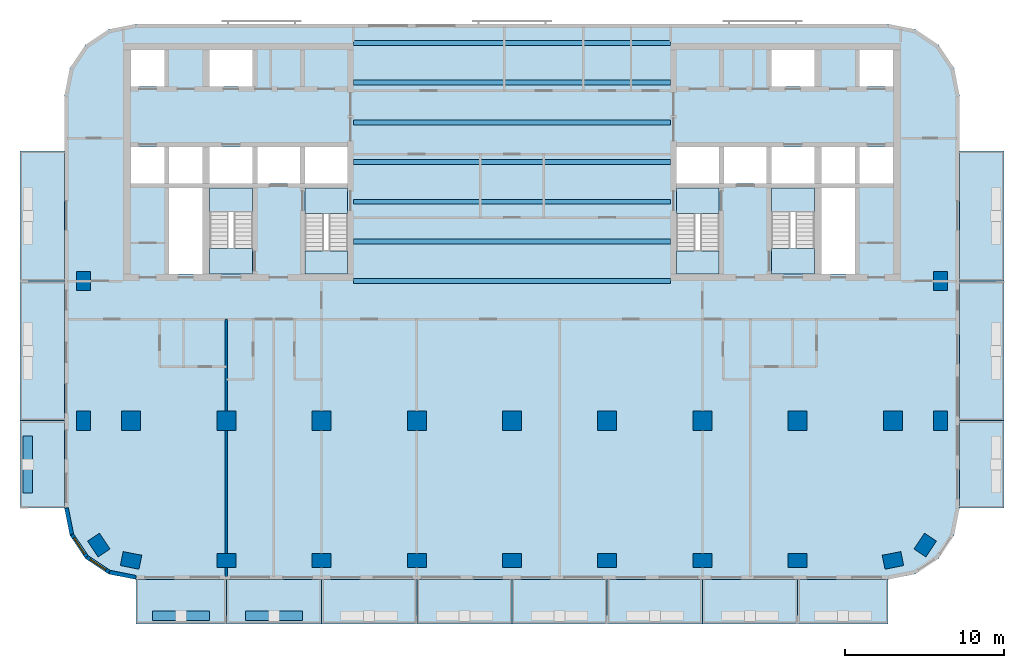
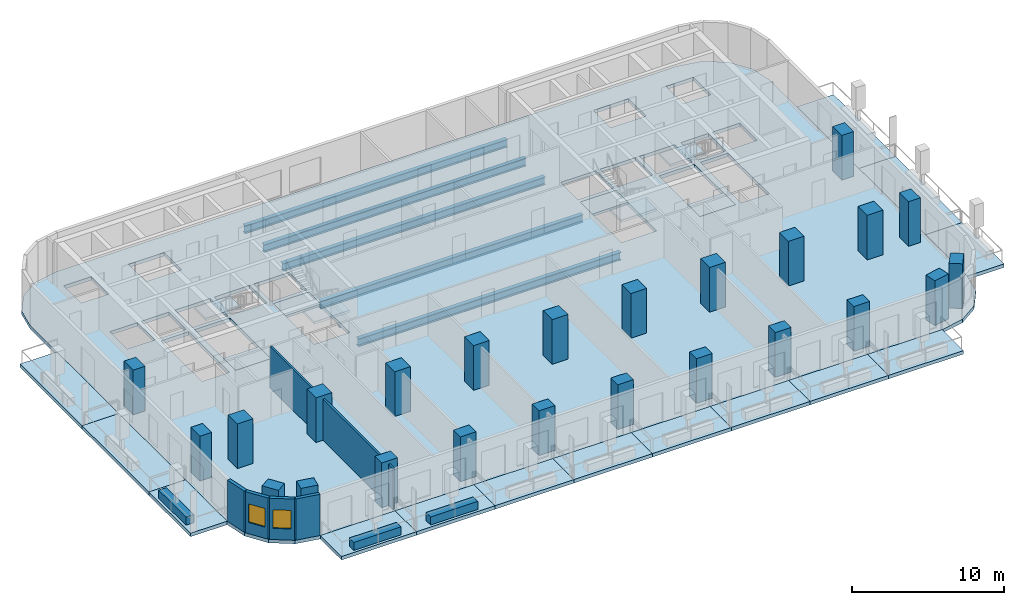
# One storey, part 1 of 11: 24 columns, 23 slabs, 8 walls, 7 beams, 2 windows, 2 openings, 4 elements without a shape of their own.
"""IFC4 building model written with IfcOpenShell, lengths in metres."""

from ifc_helpers import new_model, si_unit, direction, frame, frame_2d, origin, origin_2d, place, context, subcontext, project, spatial, polyline, rectangle, i_section, outline, extrude, material, layer, layer_set, material_profile, profile_set, type_object, element, fill, aggregate, save


model = new_model("IFC4")

# Units and contexts
model_context = context("Model", 3, precision=1e-05, world=origin(), true_north=direction((0.0, 1.0)))
body_context = subcontext(model_context, "Body", "Model", "MODEL_VIEW")
ifc_project = project(units=[si_unit("LENGTHUNIT", "METRE"), si_unit("AREAUNIT", "SQUARE_METRE"), si_unit("VOLUMEUNIT", "CUBIC_METRE"), si_unit("PLANEANGLEUNIT", "RADIAN"), si_unit("MASSUNIT", "GRAM", prefix="KILO")], contexts=[model_context])

# Site, building, storey
site_placement = place(None, origin())
site = spatial("IfcSite", under=ifc_project, at=site_placement, CompositionType="ELEMENT")
building_placement = place(site_placement, origin())
building = spatial("IfcBuilding", under=site, at=building_placement, Name="Torana Hotel and Residences", CompositionType="ELEMENT")
storey_placement = place(building_placement, frame((0.0, 0.0, 138.0)))
storey = spatial("IfcBuildingStorey", under=building, at=storey_placement, Name="L35", CompositionType="ELEMENT", Elevation=138.0)

# Columns
ifc_material_1 = material(Name="Concrete C70/85", Category="concrete")
ifc_material_profile_1 = material_profile(ifc_material_1, rectangle(XDim=1.199951171875, YDim=1.199951171875, at=origin_2d()), Name="RC 1200x1200")
ifc_profile_set_1 = profile_set([ifc_material_profile_1], Name="Concrete C70/85")
column_type_1 = type_object("IfcColumnType", Name="COLUMN RC 1200x1200 C70/85", PredefinedType="COLUMN", material=ifc_profile_set_1)
for number, where, z_axis, x_axis, name in (
    (1, (-24.0, -23.800048828125, 0.0), (0.0, 0.0, 1.0), (1.0, 0.0, 0.0), "Column L35"),
    (2, (-18.0, -23.800048828125, 0.0), (0.0, 0.0, 1.0), (1.0, 0.0, 0.0), "Column L35"),
    (3, (-12.0, -23.800048828125, 0.0), (0.0, 0.0, 1.0), (1.0, 0.0, 0.0), "Column L35"),
    (4, (-6.0, -23.800048828125, 0.0), (0.0, 0.0, 1.0), (1.0, 0.0, 0.0), "Column L35"),
    (5, (0.0, -23.800048828125, 0.0), (0.0, 0.0, 1.0), (1.0, 0.0, 0.0), "Column L35"),
    (6, (6.0, -23.800048828125, 0.0), (0.0, 0.0, 1.0), (1.0, 0.0, 0.0), "Column L35"),
    (7, (12.0, -23.800048828125, 0.0), (0.0, 0.0, 1.0), (1.0, 0.0, 0.0), "Column L35"),
    (8, (18.0, -23.800048828125, 0.0), (0.0, 0.0, 1.0), (1.0, 0.0, 0.0), "Column L35"),
    (9, (24.0, -23.800048828125, 0.0), (0.0, 0.0, 1.0), (1.0, 0.0, 0.0), "Column L35"),
):
    element("IfcColumn", number, at=place(storey_placement, frame(where, z_axis=z_axis, x_axis=x_axis)), inside=storey, type_object=column_type_1, Name=name, PredefinedType="COLUMN", context=body_context, shape_type="SweptSolid", body=[
        extrude(rectangle(XDim=1.199951171875, YDim=1.199951171875, at=origin_2d()), origin(), (0.0, 0.0, 1.0), 3.60009765625),
    ])
ifc_material_2 = material(Name="Concrete C70/85", Category="concrete")
ifc_material_profile_2 = material_profile(ifc_material_2, rectangle(XDim=1.199951171875, YDim=0.89990234375, at=origin_2d()), Name="RC 1200x900")
ifc_profile_set_2 = profile_set([ifc_material_profile_2], Name="Concrete C70/85")
column_type_2 = type_object("IfcColumnType", Name="COLUMN RC 1200x900 C70/85", PredefinedType="COLUMN", material=ifc_profile_set_2)
for number, where, z_axis, x_axis, name in (
    (10, (-27.0, -23.800048828125, 0.0), (0.0, 0.0, 1.0), (0.0, 1.0, 0.0), "Column L35"),
    (11, (-27.0, -15.0, 0.0), (0.0, 0.0, 1.0), (0.0, 1.0, 0.0), "Column L35"),
    (12, (-26.032958984375, -31.633056640625, 0.0), (0.0, 0.0, 1.0), (-0.555584744817, 0.831459915646, 0.0), "Column L35"),
    (13, (-24.0, -32.60009765625, 0.0), (0.0, 0.0, 1.0), (-0.980792089743, 0.195056086032, 0.0), "Column L35"),
    (14, (-18.0, -32.60009765625, 0.0), (0.0, 0.0, 1.0), (1.0, 0.0, 0.0), "Column L35"),
    (15, (-12.0, -32.60009765625, 0.0), (0.0, 0.0, 1.0), (1.0, 0.0, 0.0), "Column L35"),
    (16, (-6.0, -32.60009765625, 0.0), (0.0, 0.0, 1.0), (1.0, 0.0, 0.0), "Column L35"),
    (17, (0.0, -32.60009765625, 0.0), (0.0, 0.0, 1.0), (1.0, 0.0, 0.0), "Column L35"),
    (18, (6.0, -32.60009765625, 0.0), (0.0, 0.0, 1.0), (1.0, 0.0, 0.0), "Column L35"),
    (19, (12.0, -32.60009765625, 0.0), (0.0, 0.0, 1.0), (1.0, 0.0, 0.0), "Column L35"),
    (20, (18.0, -32.60009765625, 0.0), (0.0, 0.0, 1.0), (1.0, 0.0, 0.0), "Column L35"),
    (21, (24.0, -32.60009765625, 0.0), (0.0, 0.0, 1.0), (0.980792089743, 0.195056086032, 0.0), "Column L35"),
    (22, (26.032958984375, -31.633056640625, 0.0), (0.0, 0.0, 1.0), (0.555584744817, 0.831459915646, 0.0), "Column L35"),
    (23, (27.0, -23.800048828125, 0.0), (0.0, 0.0, 1.0), (0.0, 1.0, 0.0), "Column L35"),
    (24, (27.0, -15.0, 0.0), (0.0, 0.0, 1.0), (0.0, 1.0, 0.0), "Column L35"),
):
    element("IfcColumn", number, at=place(storey_placement, frame(where, z_axis=z_axis, x_axis=x_axis)), inside=storey, type_object=column_type_2, Name=name, PredefinedType="COLUMN", context=body_context, shape_type="SweptSolid", body=[
        extrude(rectangle(XDim=1.199951171875, YDim=0.89990234375, at=origin_2d()), origin(), (0.0, 0.0, 1.0), 3.60009765625),
    ])

# Beams
ifc_material_3 = material(Name="Steel S355", Category="steel")
ifc_material_profile_3 = material_profile(ifc_material_3, i_section(OverallWidth=0.311279296875, OverallDepth=0.6357421875, WebThickness=0.018310546875, FlangeThickness=0.031494140625, FilletRadius=0.0166015625, at=origin_2d()), Name="610x305x238 UB")
ifc_profile_set_3 = profile_set([ifc_material_profile_3], Name="Steel S355")
beam_type = type_object("IfcBeamType", Name="STEEL GIRDER 610x305x238 UB", PredefinedType="BEAM", material=ifc_profile_set_3)
for number, where, z_axis, x_axis, name in (
    (25, (-10.0, -15.0, -0.597900390625), (1.0, 0.0, 0.0), (0.0, 1.0, 0.0), "Floor girder"),
    (26, (-10.0, -12.5, -0.597900390625), (1.0, 0.0, 0.0), (0.0, 1.0, 0.0), "Floor girder"),
    (27, (-10.0, -10.0, -0.597900390625), (1.0, 0.0, 0.0), (0.0, 1.0, 0.0), "Floor girder"),
    (28, (-10.0, -7.5, -0.597900390625), (1.0, 0.0, 0.0), (0.0, 1.0, 0.0), "Floor girder"),
    (29, (-10.0, -5.0, -0.597900390625), (1.0, 0.0, 0.0), (0.0, 1.0, 0.0), "Floor girder"),
    (30, (-10.0, -2.5, -0.597900390625), (1.0, 0.0, 0.0), (0.0, 1.0, 0.0), "Floor girder"),
    (31, (-10.0, 0.0, -0.597900390625), (1.0, 0.0, 0.0), (0.0, 1.0, 0.0), "Floor girder"),
):
    element("IfcBeam", number, at=place(storey_placement, frame(where, z_axis=z_axis, x_axis=x_axis)), inside=storey, type_object=beam_type, Name=name, PredefinedType="BEAM", context=body_context, shape_type="SweptSolid", body=[
        extrude(i_section(OverallWidth=0.311279296875, OverallDepth=0.6357421875, WebThickness=0.018310546875, FlangeThickness=0.031494140625, FilletRadius=0.0166015625, at=origin_2d()), origin(), (0.0, 0.0, 1.0), 20.0),
    ])

# Slabs
ifc_material_4 = material(Name="Concrete C40/50", Category="concrete")
ifc_layer_1 = layer(ifc_material_4, 0.280029296875)
ifc_layer_set_1 = layer_set([ifc_layer_1], Name="BAL1 BALCONY SLAB 280")
slab_type_1 = type_object("IfcSlabType", Name="BAL1 BALCONY SLAB 280", PredefinedType="USERDEFINED", material=ifc_layer_set_1)
slab_1_placement = place(storey_placement, frame((0.0, 0.0, -0.280029296875)))
element("IfcSlab", 32, at=slab_1_placement, inside=storey, type_object=slab_type_1, Name="Balcony 01", ObjectType="BALCONY", PredefinedType="USERDEFINED", context=body_context, shape_type="SweptSolid", body=[
    extrude(outline(polyline([(-23.699951171875, -36.60009765625), (-18.0, -36.60009765625), (-18.0, -33.800048828125), (-23.699951171875, -33.800048828125), (-23.699951171875, -36.60009765625)])), origin(), (0.0, 0.0, 1.0), 0.280029296875),
])
slab_2_placement = place(storey_placement, frame((0.0, 0.0, -0.280029296875)))
element("IfcSlab", 33, at=slab_2_placement, inside=storey, type_object=slab_type_1, Name="Balcony 02", ObjectType="BALCONY", PredefinedType="USERDEFINED", context=body_context, shape_type="SweptSolid", body=[
    extrude(outline(polyline([(-18.0, -36.60009765625), (-12.0, -36.60009765625), (-12.0, -33.800048828125), (-18.0, -33.800048828125), (-18.0, -36.60009765625)])), origin(), (0.0, 0.0, 1.0), 0.280029296875),
])
slab_3_placement = place(storey_placement, frame((0.0, 0.0, -0.280029296875)))
element("IfcSlab", 34, at=slab_3_placement, inside=storey, type_object=slab_type_1, Name="Balcony 03", ObjectType="BALCONY", PredefinedType="USERDEFINED", context=body_context, shape_type="SweptSolid", body=[
    extrude(outline(polyline([(-12.0, -36.60009765625), (-6.0, -36.60009765625), (-6.0, -33.800048828125), (-12.0, -33.800048828125), (-12.0, -36.60009765625)])), origin(), (0.0, 0.0, 1.0), 0.280029296875),
])
slab_4_placement = place(storey_placement, frame((0.0, 0.0, -0.280029296875)))
element("IfcSlab", 35, at=slab_4_placement, inside=storey, type_object=slab_type_1, Name="Balcony 04", ObjectType="BALCONY", PredefinedType="USERDEFINED", context=body_context, shape_type="SweptSolid", body=[
    extrude(outline(polyline([(-6.0, -36.60009765625), (0.0, -36.60009765625), (0.0, -33.800048828125), (-6.0, -33.800048828125), (-6.0, -36.60009765625)])), origin(), (0.0, 0.0, 1.0), 0.280029296875),
])
slab_5_placement = place(storey_placement, frame((0.0, 0.0, -0.280029296875)))
element("IfcSlab", 36, at=slab_5_placement, inside=storey, type_object=slab_type_1, Name="Balcony 05", ObjectType="BALCONY", PredefinedType="USERDEFINED", context=body_context, shape_type="SweptSolid", body=[
    extrude(outline(polyline([(0.0, -36.60009765625), (6.0, -36.60009765625), (6.0, -33.800048828125), (0.0, -33.800048828125), (0.0, -36.60009765625)])), origin(), (0.0, 0.0, 1.0), 0.280029296875),
])
slab_6_placement = place(storey_placement, frame((0.0, 0.0, -0.280029296875)))
element("IfcSlab", 37, at=slab_6_placement, inside=storey, type_object=slab_type_1, Name="Balcony 06", ObjectType="BALCONY", PredefinedType="USERDEFINED", context=body_context, shape_type="SweptSolid", body=[
    extrude(outline(polyline([(6.0, -36.60009765625), (12.0, -36.60009765625), (12.0, -33.800048828125), (6.0, -33.800048828125), (6.0, -36.60009765625)])), origin(), (0.0, 0.0, 1.0), 0.280029296875),
])
slab_7_placement = place(storey_placement, frame((0.0, 0.0, -0.280029296875)))
element("IfcSlab", 38, at=slab_7_placement, inside=storey, type_object=slab_type_1, Name="Balcony 07", ObjectType="BALCONY", PredefinedType="USERDEFINED", context=body_context, shape_type="SweptSolid", body=[
    extrude(outline(polyline([(12.0, -36.60009765625), (18.0, -36.60009765625), (18.0, -33.800048828125), (12.0, -33.800048828125), (12.0, -36.60009765625)])), origin(), (0.0, 0.0, 1.0), 0.280029296875),
])
slab_8_placement = place(storey_placement, frame((0.0, 0.0, -0.280029296875)))
element("IfcSlab", 39, at=slab_8_placement, inside=storey, type_object=slab_type_1, Name="Balcony 08", ObjectType="BALCONY", PredefinedType="USERDEFINED", context=body_context, shape_type="SweptSolid", body=[
    extrude(outline(polyline([(18.0, -36.60009765625), (23.699951171875, -36.60009765625), (23.699951171875, -33.800048828125), (18.0, -33.800048828125), (18.0, -36.60009765625)])), origin(), (0.0, 0.0, 1.0), 0.280029296875),
])
slab_9_placement = place(storey_placement, frame((0.0, 0.0, -0.280029296875)))
element("IfcSlab", 40, at=slab_9_placement, inside=storey, type_object=slab_type_1, Name="Balcony 09", ObjectType="BALCONY", PredefinedType="USERDEFINED", context=body_context, shape_type="SweptSolid", body=[
    extrude(outline(polyline([(-31.0, -29.300048828125), (-28.199951171875, -29.300048828125), (-28.199951171875, -23.800048828125), (-31.0, -23.800048828125), (-31.0, -29.300048828125)])), origin(), (0.0, 0.0, 1.0), 0.280029296875),
])
slab_10_placement = place(storey_placement, frame((0.0, 0.0, -0.280029296875)))
element("IfcSlab", 41, at=slab_10_placement, inside=storey, type_object=slab_type_1, Name="Balcony 10", ObjectType="BALCONY", PredefinedType="USERDEFINED", context=body_context, shape_type="SweptSolid", body=[
    extrude(outline(polyline([(-31.0, -23.800048828125), (-28.199951171875, -23.800048828125), (-28.199951171875, -15.0), (-31.0, -15.0), (-31.0, -23.800048828125)])), origin(), (0.0, 0.0, 1.0), 0.280029296875),
])
slab_11_placement = place(storey_placement, frame((0.0, 0.0, -0.280029296875)))
element("IfcSlab", 42, at=slab_11_placement, inside=storey, type_object=slab_type_1, Name="Balcony 11", ObjectType="BALCONY", PredefinedType="USERDEFINED", context=body_context, shape_type="SweptSolid", body=[
    extrude(outline(polyline([(-31.0, -15.0), (-28.199951171875, -15.0), (-28.199951171875, -6.800048828125), (-31.0, -6.800048828125), (-31.0, -15.0)])), origin(), (0.0, 0.0, 1.0), 0.280029296875),
])
slab_12_placement = place(storey_placement, frame((0.0, 0.0, -0.280029296875)))
element("IfcSlab", 43, at=slab_12_placement, inside=storey, type_object=slab_type_1, Name="Balcony 12", ObjectType="BALCONY", PredefinedType="USERDEFINED", context=body_context, shape_type="SweptSolid", body=[
    extrude(outline(polyline([(28.199951171875, -29.300048828125), (31.0, -29.300048828125), (31.0, -23.800048828125), (28.199951171875, -23.800048828125), (28.199951171875, -29.300048828125)])), origin(), (0.0, 0.0, 1.0), 0.280029296875),
])
slab_13_placement = place(storey_placement, frame((0.0, 0.0, -0.280029296875)))
element("IfcSlab", 44, at=slab_13_placement, inside=storey, type_object=slab_type_1, Name="Balcony 13", ObjectType="BALCONY", PredefinedType="USERDEFINED", context=body_context, shape_type="SweptSolid", body=[
    extrude(outline(polyline([(28.199951171875, -23.800048828125), (31.0, -23.800048828125), (31.0, -15.0), (28.199951171875, -15.0), (28.199951171875, -23.800048828125)])), origin(), (0.0, 0.0, 1.0), 0.280029296875),
])
slab_14_placement = place(storey_placement, frame((0.0, 0.0, -0.280029296875)))
element("IfcSlab", 45, at=slab_14_placement, inside=storey, type_object=slab_type_1, Name="Balcony 14", ObjectType="BALCONY", PredefinedType="USERDEFINED", context=body_context, shape_type="SweptSolid", body=[
    extrude(outline(polyline([(28.199951171875, -15.0), (31.0, -15.0), (31.0, -6.800048828125), (28.199951171875, -6.800048828125), (28.199951171875, -15.0)])), origin(), (0.0, 0.0, 1.0), 0.280029296875),
])
ifc_material_5 = material(Name="Concrete C40/50", Category="concrete")
ifc_layer_2 = layer(ifc_material_5, 0.280029296875)
ifc_layer_set_2 = layer_set([ifc_layer_2], Name="FLOOR SLAB PT 280")
slab_type_2 = type_object("IfcSlabType", Name="FLOOR SLAB PT 280", PredefinedType="FLOOR", material=ifc_layer_set_2)
slab_15_placement = place(storey_placement, frame((0.0, 0.0, -0.280029296875)))
element("IfcSlab", 46, at=slab_15_placement, inside=storey, type_object=slab_type_2, Name="Floor slab", PredefinedType="FLOOR", context=body_context, shape_type="SweptSolid", body=[
    extrude(outline(polyline([(28.199951171875, -3.300048828125), (27.857421875, -1.577880859375), (26.882080078125, -0.117919921875), (25.422119140625, 0.857421875), (23.699951171875, 1.199951171875), (-23.699951171875, 1.199951171875), (-25.422119140625, 0.857421875), (-26.882080078125, -0.117919921875), (-27.857421875, -1.577880859375), (-28.199951171875, -3.300048828125), (-28.199951171875, -29.300048828125), (-27.857421875, -31.022216796875), (-26.882080078125, -32.48193359375), (-25.422119140625, -33.45751953125), (-23.699951171875, -33.800048828125), (23.699951171875, -33.800048828125), (25.422119140625, -33.45751953125), (26.882080078125, -32.48193359375), (27.857421875, -31.022216796875), (28.199951171875, -29.300048828125), (28.199951171875, -3.300048828125)]), holes=[polyline([(-13.050048828125, -14.550048828125), (-10.35009765625, -14.550048828125), (-10.35009765625, -9.14990234375), (-13.050048828125, -9.14990234375), (-13.050048828125, -14.550048828125)]), polyline([(-19.050048828125, -14.550048828125), (-16.35009765625, -14.550048828125), (-16.35009765625, -9.14990234375), (-19.050048828125, -9.14990234375), (-19.050048828125, -14.550048828125)]), polyline([(-19.050048828125, -2.75), (-16.35009765625, -2.75), (-16.35009765625, -0.449951171875), (-19.050048828125, -0.449951171875), (-19.050048828125, -2.75)]), polyline([(-21.60009765625, -8.85009765625), (-19.5, -8.85009765625), (-19.5, -6.550048828125), (-21.60009765625, -6.550048828125), (-21.60009765625, -8.85009765625)]), polyline([(-24.0, -2.75), (-21.89990234375, -2.75), (-21.89990234375, -0.449951171875), (-24.0, -0.449951171875), (-24.0, -2.75)]), polyline([(-24.0, -8.85009765625), (-21.89990234375, -8.85009765625), (-21.89990234375, -6.550048828125), (-24.0, -6.550048828125), (-24.0, -8.85009765625)]), polyline([(-13.050048828125, -8.85009765625), (-10.35009765625, -8.85009765625), (-10.35009765625, -6.550048828125), (-13.050048828125, -6.550048828125), (-13.050048828125, -8.85009765625)]), polyline([(-16.050048828125, -8.85009765625), (-13.35009765625, -8.85009765625), (-13.35009765625, -6.550048828125), (-16.050048828125, -6.550048828125), (-16.050048828125, -8.85009765625)]), polyline([(-19.050048828125, -8.85009765625), (-16.35009765625, -8.85009765625), (-16.35009765625, -6.550048828125), (-19.050048828125, -6.550048828125), (-19.050048828125, -8.85009765625)]), polyline([(-21.60009765625, -14.550048828125), (-19.5, -14.550048828125), (-19.5, -9.14990234375), (-21.60009765625, -9.14990234375), (-21.60009765625, -14.550048828125)]), polyline([(10.35009765625, -14.550048828125), (13.050048828125, -14.550048828125), (13.050048828125, -9.14990234375), (10.35009765625, -9.14990234375), (10.35009765625, -14.550048828125)]), polyline([(16.35009765625, -14.550048828125), (19.050048828125, -14.550048828125), (19.050048828125, -9.14990234375), (16.35009765625, -9.14990234375), (16.35009765625, -14.550048828125)]), polyline([(16.35009765625, -2.75), (19.050048828125, -2.75), (19.050048828125, -0.449951171875), (16.35009765625, -0.449951171875), (16.35009765625, -2.75)]), polyline([(19.5, -8.85009765625), (21.60009765625, -8.85009765625), (21.60009765625, -6.550048828125), (19.5, -6.550048828125), (19.5, -8.85009765625)]), polyline([(21.89990234375, -2.75), (24.0, -2.75), (24.0, -0.449951171875), (21.89990234375, -0.449951171875), (21.89990234375, -2.75)]), polyline([(21.89990234375, -8.85009765625), (24.0, -8.85009765625), (24.0, -6.550048828125), (21.89990234375, -6.550048828125), (21.89990234375, -8.85009765625)]), polyline([(10.35009765625, -8.85009765625), (13.050048828125, -8.85009765625), (13.050048828125, -6.550048828125), (10.35009765625, -6.550048828125), (10.35009765625, -8.85009765625)]), polyline([(13.35009765625, -8.85009765625), (16.050048828125, -8.85009765625), (16.050048828125, -6.550048828125), (13.35009765625, -6.550048828125), (13.35009765625, -8.85009765625)]), polyline([(16.35009765625, -8.85009765625), (19.050048828125, -8.85009765625), (19.050048828125, -6.550048828125), (16.35009765625, -6.550048828125), (16.35009765625, -8.85009765625)]), polyline([(19.5, -14.550048828125), (21.60009765625, -14.550048828125), (21.60009765625, -9.14990234375), (19.5, -9.14990234375), (19.5, -14.550048828125)])]), origin(), (0.0, 0.0, 1.0), 0.280029296875),
])

# Stair, slabs
ifc_material_6 = material(Name="Concrete C40/50 precast", Category="concrete")
stair_type_1 = type_object("IfcStairType", Name="STAIR ST1 HALF TURN 1200", PredefinedType="HALF_TURN_STAIR", material=ifc_material_6)
stair_1_placement = place(storey_placement, origin())
stair_1 = element("IfcStair", 47, at=stair_1_placement, inside=storey, type_object=stair_type_1, Name="Stair ST1 L35", PredefinedType="HALF_TURN_STAIR")
ifc_material_7 = material(Name="Concrete C40/50 precast", Category="concrete")
ifc_layer_3 = layer(ifc_material_7, 0.199951171875)
ifc_layer_set_3 = layer_set([ifc_layer_3], Name="STAIR LANDING 200")
slab_type_3 = type_object("IfcSlabType", Name="STAIR LANDING 200", PredefinedType="LANDING", material=ifc_layer_set_3)
slab_16_placement = place(storey_placement, frame((0.0, 0.0, 1.60009765625)))
slab_16 = element("IfcSlab", 48, at=slab_16_placement, type_object=slab_type_3, Name="ST1 landing 1", PredefinedType="LANDING", context=body_context, shape_type="SweptSolid", body=[
    extrude(outline(polyline([(-13.050048828125, -14.550048828125), (-10.35009765625, -14.550048828125), (-10.35009765625, -13.090087890625), (-13.050048828125, -13.090087890625), (-13.050048828125, -14.550048828125)])), origin(), (0.0, 0.0, 1.0), 0.199951171875),
])
slab_17_placement = place(storey_placement, frame((0.0, 0.0, -0.199951171875)))
slab_17 = element("IfcSlab", 49, at=slab_17_placement, type_object=slab_type_3, Name="ST1 landing 2", PredefinedType="LANDING", context=body_context, shape_type="SweptSolid", body=[
    extrude(outline(polyline([(-13.050048828125, -10.75), (-10.35009765625, -10.75), (-10.35009765625, -9.14990234375), (-13.050048828125, -9.14990234375), (-13.050048828125, -10.75)])), origin(), (0.0, 0.0, 1.0), 0.199951171875),
])
aggregate(stair_1, [slab_16, slab_17])

ifc_material_8 = material(Name="Concrete C40/50 precast", Category="concrete")
stair_type_2 = type_object("IfcStairType", Name="STAIR ST2 HALF TURN 1200", PredefinedType="HALF_TURN_STAIR", material=ifc_material_8)
stair_2_placement = place(storey_placement, origin())
stair_2 = element("IfcStair", 50, at=stair_2_placement, inside=storey, type_object=stair_type_2, Name="Stair ST2 L35", PredefinedType="HALF_TURN_STAIR")
slab_18_placement = place(storey_placement, frame((0.0, 0.0, 1.60009765625)))
slab_18 = element("IfcSlab", 51, at=slab_18_placement, type_object=slab_type_3, Name="ST2 landing 1", PredefinedType="LANDING", context=body_context, shape_type="SweptSolid", body=[
    extrude(outline(polyline([(-19.050048828125, -10.610107421875), (-16.35009765625, -10.610107421875), (-16.35009765625, -9.14990234375), (-19.050048828125, -9.14990234375), (-19.050048828125, -10.610107421875)])), origin(), (0.0, 0.0, 1.0), 0.199951171875),
])
slab_19_placement = place(storey_placement, frame((0.0, 0.0, -0.199951171875)))
slab_19 = element("IfcSlab", 52, at=slab_19_placement, type_object=slab_type_3, Name="ST2 landing 2", PredefinedType="LANDING", context=body_context, shape_type="SweptSolid", body=[
    extrude(outline(polyline([(-19.050048828125, -14.550048828125), (-16.35009765625, -14.550048828125), (-16.35009765625, -12.949951171875), (-19.050048828125, -12.949951171875), (-19.050048828125, -14.550048828125)])), origin(), (0.0, 0.0, 1.0), 0.199951171875),
])
aggregate(stair_2, [slab_18, slab_19])

ifc_material_9 = material(Name="Concrete C40/50 precast", Category="concrete")
stair_type_3 = type_object("IfcStairType", Name="STAIR ST3 HALF TURN 1200", PredefinedType="HALF_TURN_STAIR", material=ifc_material_9)
stair_3_placement = place(storey_placement, origin())
stair_3 = element("IfcStair", 53, at=stair_3_placement, inside=storey, type_object=stair_type_3, Name="Stair ST3 L35", PredefinedType="HALF_TURN_STAIR")
slab_20_placement = place(storey_placement, frame((0.0, 0.0, 1.60009765625)))
slab_20 = element("IfcSlab", 54, at=slab_20_placement, type_object=slab_type_3, Name="ST3 landing 1", PredefinedType="LANDING", context=body_context, shape_type="SweptSolid", body=[
    extrude(outline(polyline([(10.35009765625, -14.550048828125), (13.050048828125, -14.550048828125), (13.050048828125, -13.090087890625), (10.35009765625, -13.090087890625), (10.35009765625, -14.550048828125)])), origin(), (0.0, 0.0, 1.0), 0.199951171875),
])
slab_21_placement = place(storey_placement, frame((0.0, 0.0, -0.199951171875)))
slab_21 = element("IfcSlab", 55, at=slab_21_placement, type_object=slab_type_3, Name="ST3 landing 2", PredefinedType="LANDING", context=body_context, shape_type="SweptSolid", body=[
    extrude(outline(polyline([(10.35009765625, -10.75), (13.050048828125, -10.75), (13.050048828125, -9.14990234375), (10.35009765625, -9.14990234375), (10.35009765625, -10.75)])), origin(), (0.0, 0.0, 1.0), 0.199951171875),
])
aggregate(stair_3, [slab_20, slab_21])

ifc_material_10 = material(Name="Concrete C40/50 precast", Category="concrete")
stair_type_4 = type_object("IfcStairType", Name="STAIR ST4 HALF TURN 1200", PredefinedType="HALF_TURN_STAIR", material=ifc_material_10)
stair_4_placement = place(storey_placement, origin())
stair_4 = element("IfcStair", 56, at=stair_4_placement, inside=storey, type_object=stair_type_4, Name="Stair ST4 L35", PredefinedType="HALF_TURN_STAIR")
slab_22_placement = place(storey_placement, frame((0.0, 0.0, 1.60009765625)))
slab_22 = element("IfcSlab", 57, at=slab_22_placement, type_object=slab_type_3, Name="ST4 landing 1", PredefinedType="LANDING", context=body_context, shape_type="SweptSolid", body=[
    extrude(outline(polyline([(16.35009765625, -10.610107421875), (19.050048828125, -10.610107421875), (19.050048828125, -9.14990234375), (16.35009765625, -9.14990234375), (16.35009765625, -10.610107421875)])), origin(), (0.0, 0.0, 1.0), 0.199951171875),
])
slab_23_placement = place(storey_placement, frame((0.0, 0.0, -0.199951171875)))
slab_23 = element("IfcSlab", 58, at=slab_23_placement, type_object=slab_type_3, Name="ST4 landing 2", PredefinedType="LANDING", context=body_context, shape_type="SweptSolid", body=[
    extrude(outline(polyline([(16.35009765625, -14.550048828125), (19.050048828125, -14.550048828125), (19.050048828125, -12.949951171875), (16.35009765625, -12.949951171875), (16.35009765625, -14.550048828125)])), origin(), (0.0, 0.0, 1.0), 0.199951171875),
])
aggregate(stair_4, [slab_22, slab_23])

# Wall
ifc_material_11 = material(Name="Black aluminium composite panel", Category="aluminium")
ifc_layer_4 = layer(ifc_material_11, 0.00390625, Name="Cladding", Category="cladding")
ifc_material_12 = material(Name="Ventilated air cavity")
ifc_layer_5 = layer(ifc_material_12, 0.0400390625, Name="Ventilated cavity", Category="cavity")
ifc_material_13 = material(Name="Mineral wool insulation")
ifc_layer_6 = layer(ifc_material_13, 0.090087890625, Name="Insulation", Category="insulation")
ifc_material_14 = material(Name="Steel S280GD", Category="steel")
ifc_layer_7 = layer(ifc_material_14, 0.092041015625, Name="Steel stud frame", Category="structure")
ifc_material_15 = material(Name="Fire rated plasterboard")
ifc_layer_8 = layer(ifc_material_15, 0.011962890625, Name="Inner board", Category="finish")
ifc_layer_9 = layer(ifc_material_15, 0.011962890625, Name="Second board", Category="finish")
ifc_layer_set_4 = layer_set([ifc_layer_4, ifc_layer_5, ifc_layer_6, ifc_layer_7, ifc_layer_8, ifc_layer_9], Name="EW1 EXTERNAL WALL BLACK METAL CLAD 250")
wall_type_1 = type_object("IfcWallType", Name="EW1 EXTERNAL WALL BLACK METAL CLAD 250", PredefinedType="SOLIDWALL", material=ifc_layer_set_4)
wall_1_placement = place(storey_placement, frame((-28.072509765625, -29.2998046875, 0.0), z_axis=(0.0, 0.0, 1.0), x_axis=(0.194999110559, -0.980803419081, 0.0)))
element("IfcWall", 59, at=wall_1_placement, inside=storey, type_object=wall_type_1, Name="External wall L35 e0.10", PredefinedType="SOLIDWALL", context=body_context, shape_type="SweptSolid", body=[
    extrude(rectangle(XDim=1.681396484375, YDim=0.25, at=frame_2d((0.8408203125, 0.0))), origin(), (0.0, 0.0, 1.0), 3.320068359375),
])

# Wall, opening, window
wall_2_placement = place(storey_placement, frame((-27.725830078125, -30.993896484375, 0.0), z_axis=(0.0, 0.0, 1.0), x_axis=(0.55555029066, -0.831482937015, 0.0)))
wall_2 = element("IfcWall", 60, at=wall_2_placement, inside=storey, type_object=wall_type_1, Name="External wall L35 e0.11", PredefinedType="SOLIDWALL", context=body_context, shape_type="SweptSolid", body=[
    extrude(rectangle(XDim=1.65625, YDim=0.25, at=frame_2d((0.828125, 0.0))), origin(), (0.0, 0.0, 1.0), 3.320068359375),
])
opening_1_placement = place(wall_2_placement, frame((0.228271484375, 0.0, 0.89990234375)))
opening_1 = element("IfcOpeningElement", 61, at=opening_1_placement, cuts=wall_2, Name="Opening W5", PredefinedType="OPENING", context=body_context, shape_type="SweptSolid", body=[
    extrude(rectangle(XDim=1.199951171875, YDim=1.5, at=frame_2d((0.60009765625, 0.75))), frame((0.0, 0.135009765625, 0.0), z_axis=(0.0, -1.0, 0.0), x_axis=(1.0, 0.0, 0.0)), (0.0, 0.0, 1.0), 0.27001953125),
])
ifc_material_16 = material(Name="Dark glass in black aluminium frame", Category="aluminium")
window_type = type_object("IfcWindowType", Name="W5 CORNER FACET WINDOW 1200x1500", PartitioningType="SINGLE_PANEL", PredefinedType="WINDOW", material=ifc_material_16)
window_1_placement = place(opening_1_placement, origin())
window_1 = element("IfcWindow", 62, at=window_1_placement, inside=storey, type_object=window_type, Name="Window L35 e0.11", OverallHeight=1.5, OverallWidth=1.199951171875, PartitioningType="SINGLE_PANEL", PredefinedType="WINDOW", context=body_context, shape_type="SweptSolid", body=[
    extrude(rectangle(XDim=1.199951171875, YDim=1.5, at=frame_2d((0.60009765625, 0.75))), frame((0.0, 0.030029296875, 0.0), z_axis=(0.0, -1.0, 0.0), x_axis=(1.0, 0.0, 0.0)), (0.0, 0.0, 1.0), 0.06005859375),
])
fill(opening_1, window_1)

wall_3_placement = place(storey_placement, frame((-26.771240234375, -32.40576171875, 0.0), z_axis=(0.0, 0.0, 1.0), x_axis=(0.831482937015, -0.55555029066, 0.0)))
wall_3 = element("IfcWall", 63, at=wall_3_placement, inside=storey, type_object=wall_type_1, Name="External wall L35 e0.12", PredefinedType="SOLIDWALL", context=body_context, shape_type="SweptSolid", body=[
    extrude(rectangle(XDim=1.65625, YDim=0.25, at=frame_2d((0.828125, 0.0))), origin(), (0.0, 0.0, 1.0), 3.320068359375),
])
opening_2_placement = place(wall_3_placement, frame((0.228271484375, 0.0, 0.89990234375)))
opening_2 = element("IfcOpeningElement", 64, at=opening_2_placement, cuts=wall_3, Name="Opening W5", PredefinedType="OPENING", context=body_context, shape_type="SweptSolid", body=[
    extrude(rectangle(XDim=1.199951171875, YDim=1.5, at=frame_2d((0.60009765625, 0.75))), frame((0.0, 0.135009765625, 0.0), z_axis=(0.0, -1.0, 0.0), x_axis=(1.0, 0.0, 0.0)), (0.0, 0.0, 1.0), 0.27001953125),
])
window_2_placement = place(opening_2_placement, origin())
window_2 = element("IfcWindow", 65, at=window_2_placement, inside=storey, type_object=window_type, Name="Window L35 e0.12", OverallHeight=1.5, OverallWidth=1.199951171875, PartitioningType="SINGLE_PANEL", PredefinedType="WINDOW", context=body_context, shape_type="SweptSolid", body=[
    extrude(rectangle(XDim=1.199951171875, YDim=1.5, at=frame_2d((0.60009765625, 0.75))), frame((0.0, 0.030029296875, 0.0), z_axis=(0.0, -1.0, 0.0), x_axis=(1.0, 0.0, 0.0)), (0.0, 0.0, 1.0), 0.06005859375),
])
fill(opening_2, window_2)

# Walls
wall_4_placement = place(storey_placement, frame((-25.348876953125, -33.344482421875, 0.0), z_axis=(0.0, 0.0, 1.0), x_axis=(0.980775640221, -0.19513878023, 0.0)))
element("IfcWall", 66, at=wall_4_placement, inside=storey, type_object=wall_type_1, Name="External wall L35 e0.13", PredefinedType="SOLIDWALL", context=body_context, shape_type="SweptSolid", body=[
    extrude(rectangle(XDim=1.681396484375, YDim=0.25, at=frame_2d((0.8408203125, 0.0))), origin(), (0.0, 0.0, 1.0), 3.320068359375),
])
ifc_material_17 = material(Name="Gypsum plasterboard")
ifc_layer_10 = layer(ifc_material_17, 0.012451171875, Name="Plasterboard", Category="finish")
ifc_layer_11 = layer(ifc_material_17, 0.012451171875, Name="Plasterboard", Category="finish")
ifc_layer_12 = layer(ifc_material_14, 0.10009765625, Name="Steel studs with mineral wool", Category="insulation")
ifc_layer_13 = layer(ifc_material_17, 0.012451171875, Name="Plasterboard", Category="finish")
ifc_layer_14 = layer(ifc_material_17, 0.012451171875, Name="Plasterboard", Category="finish")
ifc_layer_set_5 = layer_set([ifc_layer_10, ifc_layer_11, ifc_layer_12, ifc_layer_13, ifc_layer_14], Name="PARTITION 150 PLASTERBOARD")
wall_type_2 = type_object("IfcWallType", Name="PARTITION 150 PLASTERBOARD", PredefinedType="PARTITIONING", material=ifc_layer_set_5)
wall_5_placement = place(storey_placement, frame((-18.0, -33.6201171875, 0.0), z_axis=(0.0, 0.0, 1.0), x_axis=(0.0, 1.0, 0.0)))
element("IfcWall", 67, at=wall_5_placement, inside=storey, type_object=wall_type_2, Name="Partition L35", PredefinedType="PARTITIONING", context=body_context, shape_type="SweptSolid", body=[
    extrude(rectangle(XDim=16.22021484375, YDim=0.14990234375, at=frame_2d((8.110107421875, 0.0))), origin(), (0.0, 0.0, 1.0), 3.320068359375),
])
ifc_material_18 = material(Name="Concrete C40/50 precast", Category="concrete")
ifc_layer_15 = layer(ifc_material_18, 0.10009765625, Name="Planter shell", Category="structure")
ifc_material_19 = material(Name="Root resistant membrane")
ifc_layer_16 = layer(ifc_material_19, 0.00390625, Name="Waterproofing membrane", Category="membrane")
ifc_material_20 = material(Name="Drainage board with filter fleece")
ifc_layer_17 = layer(ifc_material_20, 0.02001953125, Name="Drainage board", Category="drainage")
ifc_material_21 = material(Name="Growing medium")
ifc_layer_18 = layer(ifc_material_21, 0.47607421875, Name="Planting substrate", Category="soil")
ifc_layer_set_6 = layer_set([ifc_layer_15, ifc_layer_16, ifc_layer_17, ifc_layer_18], Name="PL1 BALCONY PLANTER 600")
wall_type_3 = type_object("IfcWallType", Name="PL1 BALCONY PLANTER 600", PredefinedType="USERDEFINED", material=ifc_layer_set_6)
wall_6_placement = place(storey_placement, frame((-19.050048828125, -36.10009765625, 0.0), z_axis=(0.0, 0.0, 1.0), x_axis=(-1.0, 0.0, 0.0)))
element("IfcWall", 68, at=wall_6_placement, inside=storey, type_object=wall_type_3, Name="Planter 01", ObjectType="PLANTER", PredefinedType="USERDEFINED", context=body_context, shape_type="SweptSolid", body=[
    extrude(rectangle(XDim=3.599853515625, YDim=0.60009765625, at=frame_2d((1.7998046875, 0.0))), origin(), (0.0, 0.0, 1.0), 0.64990234375),
])
for number, where, z_axis, x_axis, name in (
    (69, (-13.199951171875, -36.10009765625, 0.0), (0.0, 0.0, 1.0), (-1.0, 0.0, 0.0), "Planter 02"),
    (70, (-30.5, -28.35009765625, 0.0), (0.0, 0.0, 1.0), (0.0, 1.0, 0.0), "Planter 09"),
):
    element("IfcWall", number, at=place(storey_placement, frame(where, z_axis=z_axis, x_axis=x_axis)), inside=storey, type_object=wall_type_3, Name=name, ObjectType="PLANTER", PredefinedType="USERDEFINED", context=body_context, shape_type="SweptSolid", body=[
        extrude(rectangle(XDim=3.60009765625, YDim=0.60009765625, at=frame_2d((1.800048828125, 0.0))), origin(), (0.0, 0.0, 1.0), 0.64990234375),
    ])

save(model, "model.ifc")
